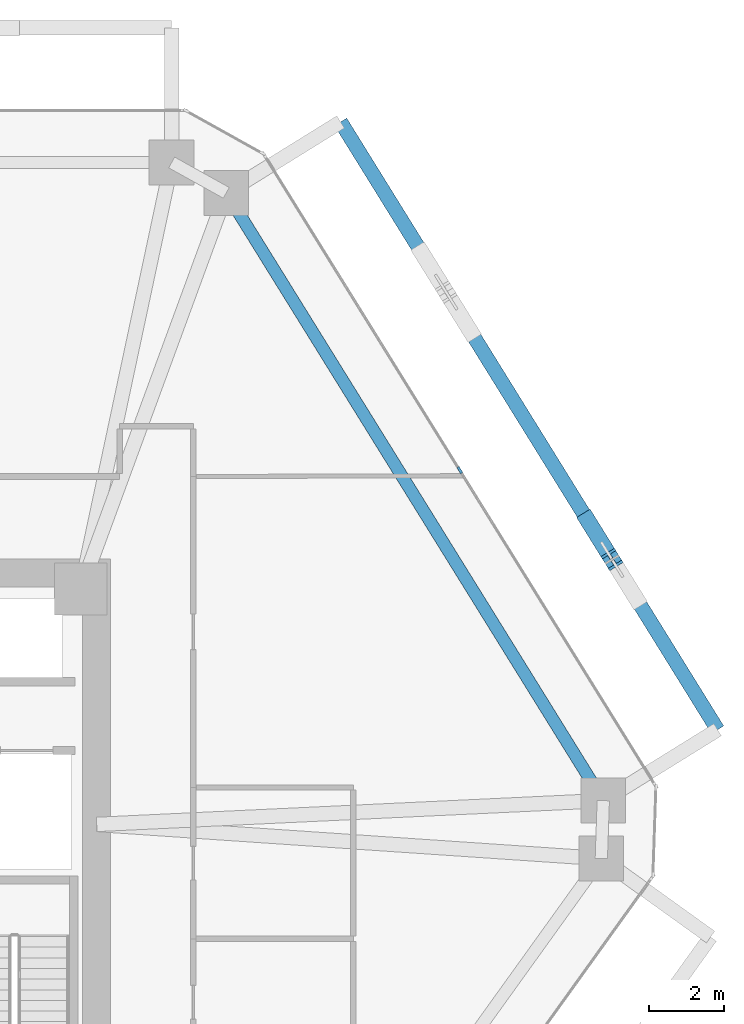
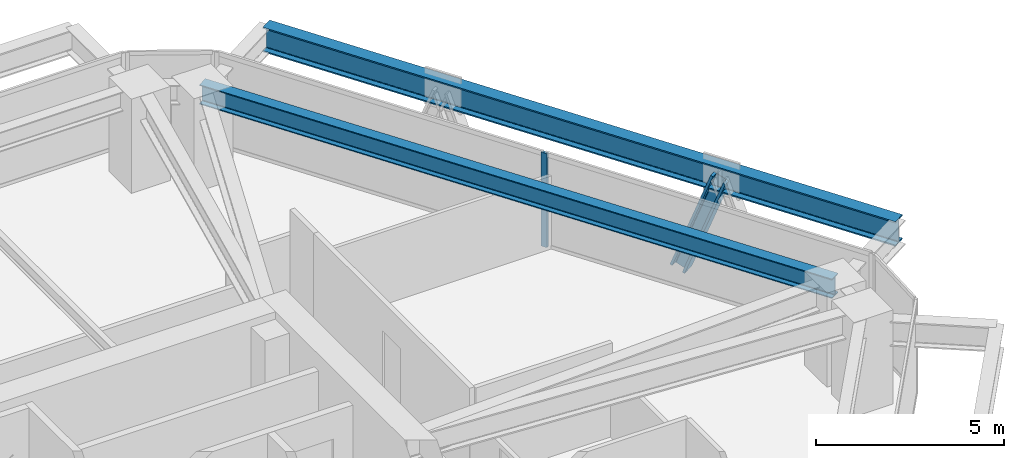
# One storey, part 6 of 15: 2 beams, 2 members, 1 element without a shape of its own.
"""IFC4 building model written with IfcOpenShell, lengths in metres."""

from ifc_helpers import new_model, si_unit, direction, frame, origin, origin_2d, place, context, subcontext, project, spatial, rectangle, i_section, extrude, source, transform, mapped, material, layer, layer_set, material_profile, profile_set, type_object, type_shapes, element, aggregate, save


model = new_model("IFC4")

# Units and contexts
model_context = context("Model", 3, precision=1e-05, world=origin(), true_north=direction((0.0, 1.0)))
body_context = subcontext(model_context, "Body", "Model", "MODEL_VIEW")
ifc_project = project(units=[si_unit("LENGTHUNIT", "METRE"), si_unit("AREAUNIT", "SQUARE_METRE"), si_unit("VOLUMEUNIT", "CUBIC_METRE"), si_unit("PLANEANGLEUNIT", "RADIAN"), si_unit("MASSUNIT", "GRAM", prefix="KILO")], contexts=[model_context])

# Site, building, storey
site_placement = place(None, origin())
site = spatial("IfcSite", under=ifc_project, at=site_placement, CompositionType="ELEMENT")
building_placement = place(site_placement, origin())
building = spatial("IfcBuilding", under=site, at=building_placement, Name="Durnholm Broadcast Tower", CompositionType="ELEMENT")
storey_placement = place(building_placement, frame((0.0, 0.0, 97.5)))
storey = spatial("IfcBuildingStorey", under=building, at=storey_placement, Name="L25", CompositionType="ELEMENT", Elevation=97.5)

# Beams
ifc_material_1 = material(Name="Steel ASTM A992 Grade 50", Category="steel")
ifc_material_profile_1 = material_profile(ifc_material_1, i_section(OverallWidth=0.3291015625, OverallDepth=0.635009765625, WebThickness=0.017822265625, FlangeThickness=0.031005859375, FilletRadius=0.02783203125, at=origin_2d()), Name="W24X162")
ifc_profile_set_1 = profile_set([ifc_material_profile_1], Name="Steel ASTM A992 Grade 50")
beam_type_1 = type_object("IfcBeamType", Name="STL-SP-W24X162", PredefinedType="SPANDREL", material=ifc_profile_set_1)
shared_shape_1 = source(origin(), body_context, "Body", "SweptSolid", [
    extrude(i_section(OverallWidth=0.3291015625, OverallDepth=0.635009765625, WebThickness=0.017822265625, FlangeThickness=0.031005859375, FilletRadius=0.02783203125, at=origin_2d()), origin(), (0.0, 0.0, 1.0), 19.139404296875),
])
type_shapes(beam_type_1, [shared_shape_1])
beam_1_placement = place(storey_placement, frame((13.692138671875, 18.4013671875, 2.7275390625), z_axis=(0.527111038734, -0.84979641847, 0.0), x_axis=(0.84979641847, 0.527111038734, 0.0)))
element("IfcBeam", 1, at=beam_1_placement, inside=storey, type_object=beam_type_1, Name="L25 perimeter spandrel girder 07", PredefinedType="SPANDREL", context=body_context, shape_type="MappedRepresentation", body=[
    mapped(shared_shape_1, transform((0.0, 0.0, 0.0), x_axis=(1.0, 0.0, 0.0), y_axis=(0.0, 1.0, 0.0), z_axis=(0.0, 0.0, 1.0), scale=1.0)),
])
ifc_material_profile_2 = material_profile(ifc_material_1, i_section(OverallWidth=0.385009765625, OverallDepth=0.802978515625, WebThickness=0.023681640625, FlangeThickness=0.0419921875, FilletRadius=0.032958984375, at=origin_2d()), Name="W30X261")
ifc_profile_set_2 = profile_set([ifc_material_profile_2], Name="Steel ASTM A992 Grade 50")
beam_type_2 = type_object("IfcBeamType", Name="BM-EXO-TIE", PredefinedType="USERDEFINED", material=ifc_profile_set_2)
shared_shape_2 = source(origin(), body_context, "Body", "SweptSolid", [
    extrude(i_section(OverallWidth=0.385009765625, OverallDepth=0.802978515625, WebThickness=0.023681640625, FlangeThickness=0.0419921875, FilletRadius=0.032958984375, at=origin_2d()), origin(), (0.0, 0.0, 1.0), 19.139404296875),
])
type_shapes(beam_type_2, [shared_shape_2])
beam_2_placement = place(storey_placement, frame((26.840087890625, 4.0341796875, 2.30859375), z_axis=(-0.527111038734, 0.84979641847, 0.0), x_axis=(-0.84979641847, -0.527111038734, 0.0)))
element("IfcBeam", 2, at=beam_2_placement, inside=storey, type_object=beam_type_2, Name="L25 exoskeleton collector spandrel F3", PredefinedType="SPANDREL", context=body_context, shape_type="MappedRepresentation", body=[
    mapped(shared_shape_2, transform((0.0, 0.0, 0.0), x_axis=(1.0, 0.0, 0.0), y_axis=(0.0, 1.0, 0.0), z_axis=(0.0, 0.0, 1.0), scale=1.0)),
])

# Member
ifc_material_2 = material(Name="Steel ASTM A913 Grade 65", Category="steel")
ifc_material_profile_3 = material_profile(ifc_material_2, i_section(OverallWidth=0.424072265625, OverallDepth=0.47412109375, WebThickness=0.047607421875, FlangeThickness=0.0771484375, FilletRadius=0.030517578125, at=origin_2d()), Name="W14X426")
ifc_profile_set_3 = profile_set([ifc_material_profile_3], Name="Steel ASTM A913 Grade 65")
member_type_1 = type_object("IfcMemberType", Name="STL-DG-W14X426", PredefinedType="BRACE", material=ifc_profile_set_3)
shared_shape_3 = source(origin(), body_context, "Body", "SweptSolid", [
    extrude(i_section(OverallWidth=0.424072265625, OverallDepth=0.47412109375, WebThickness=0.047607421875, FlangeThickness=0.0771484375, FilletRadius=0.030517578125, at=origin_2d()), origin(), (0.0, 0.0, 1.0), 3.523193359375),
])
type_shapes(member_type_1, [shared_shape_3])
member_1_placement = place(storey_placement, frame((23.36474609375, 9.63671875, -0.991455078125), z_axis=(0.184606642766, -0.297560406921, 0.936684681032), x_axis=(0.849750220063, 0.527185511469, 0.0)))
element("IfcMember", 3, at=member_1_placement, inside=storey, type_object=member_type_1, Name="L25 stand-off diagrid brace F3.D1.2", PredefinedType="BRACE", context=body_context, shape_type="MappedRepresentation", body=[
    mapped(shared_shape_3, transform((0.0, 0.0, 0.0), x_axis=(1.0, 0.0, 0.0), y_axis=(0.0, 1.0, 0.0), z_axis=(0.0, 0.0, 1.0), scale=1.0)),
])

# Curtain wall, member
ifc_material_3 = material(Name="Aluminium and Solar Control IGU", Category="aluminium")
ifc_layer = layer(ifc_material_3, 0.18994140625)
ifc_layer_set = layer_set([ifc_layer], Name="Aluminium and Solar Control IGU")
curtain_wall_type = type_object("IfcCurtainWallType", Name="CW-SYS-3", PredefinedType="NOTDEFINED", material=ifc_layer_set)
curtain_wall_placement = place(storey_placement, origin())
curtain_wall = element("IfcCurtainWall", 4, at=curtain_wall_placement, inside=storey, type_object=curtain_wall_type, Name="L25 curtain wall CW-Z12-VIS CW-L25-F06", PredefinedType="NOTDEFINED")
ifc_material_4 = material(Name="Aluminium 6063-T6", Category="aluminium")
ifc_material_profile_4 = material_profile(ifc_material_4, rectangle(XDim=0.070068359375, YDim=0.18994140625, at=origin_2d()), Name="CWM70X190")
ifc_profile_set_4 = profile_set([ifc_material_profile_4], Name="Aluminium 6063-T6")
member_type_2 = type_object("IfcMemberType", Name="CW-SYS-3-MUL", PredefinedType="MULLION", material=ifc_profile_set_4)
shared_shape_4 = source(origin(), body_context, "Body", "SweptSolid", [
    extrude(rectangle(XDim=0.070068359375, YDim=0.18994140625, at=origin_2d()), origin(), (0.0, 0.0, 1.0), 3.06005859375),
])
type_shapes(member_type_2, [shared_shape_4])
member_2_placement = place(storey_placement, frame((19.9423828125, 10.980712890625, 0.0), z_axis=(0.0, 0.0, 1.0), x_axis=(0.849799925229, 0.527105385176, 0.0)))
member_2 = element("IfcMember", 5, at=member_2_placement, type_object=member_type_2, Name="CW-Z12-VIS mullion 2", PredefinedType="MULLION", context=body_context, shape_type="MappedRepresentation", body=[
    mapped(shared_shape_4, transform((0.0, 0.0, 0.0), x_axis=(1.0, 0.0, 0.0), y_axis=(0.0, 1.0, 0.0), z_axis=(0.0, 0.0, 1.0), scale=1.0)),
])
aggregate(curtain_wall, [member_2])

save(model, "model.ifc")
